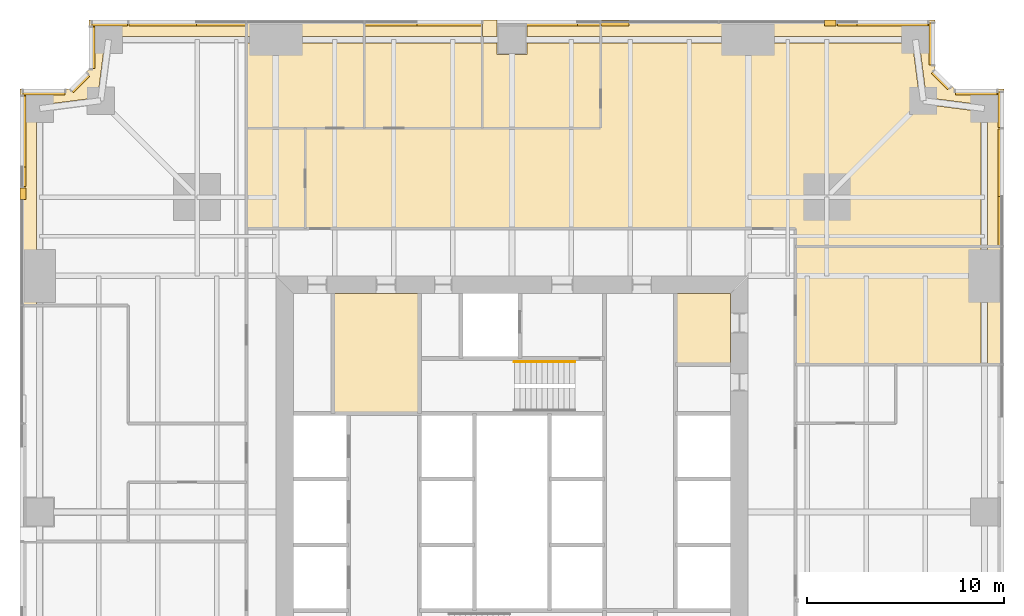
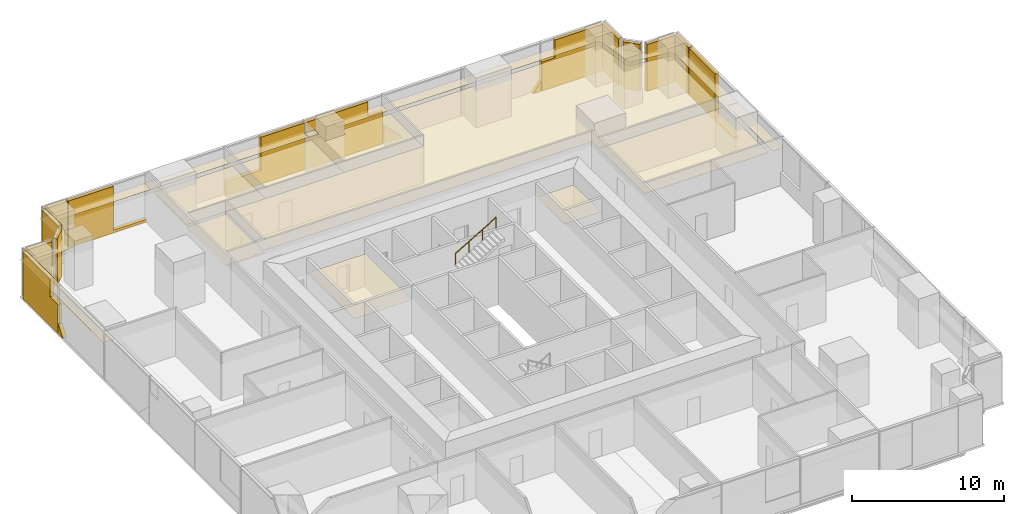
# One storey, part 13 of 13: 32 coverings, 1 railing.
"""IFC4 building model written with IfcOpenShell, lengths in metres."""

from ifc_helpers import new_model, si_unit, direction, frame, origin, origin_2d, place, context, subcontext, project, spatial, polyline, circle, outline, extrude, material, layer, layer_set, type_object, element, save


model = new_model("IFC4")

# Units and contexts
model_context = context("Model", 3, precision=1e-05, world=origin(), true_north=direction((0.0, 1.0)))
body_context = subcontext(model_context, "Body", "Model", "MODEL_VIEW")
ifc_project = project(units=[si_unit("LENGTHUNIT", "METRE"), si_unit("AREAUNIT", "SQUARE_METRE"), si_unit("VOLUMEUNIT", "CUBIC_METRE"), si_unit("PLANEANGLEUNIT", "RADIAN"), si_unit("MASSUNIT", "GRAM", prefix="KILO")], contexts=[model_context])

# Site, building, storey
site_placement = place(None, origin())
site = spatial("IfcSite", under=ifc_project, at=site_placement, CompositionType="ELEMENT")
building_placement = place(site_placement, origin())
building = spatial("IfcBuilding", under=site, at=building_placement, Name="Fenwick Lantern Interchange", CompositionType="ELEMENT")
storey_placement = place(building_placement, frame((0.0, 0.0, 63.0)))
storey = spatial("IfcBuildingStorey", under=building, at=storey_placement, Name="L14", CompositionType="ELEMENT", Elevation=63.0)

# Coverings
ifc_material_1 = material(Name="Mineral fibre acoustic tile on suspended grid")
ifc_layer_1 = layer(ifc_material_1, 0.02001953125)
ifc_layer_set_1 = layer_set([ifc_layer_1], Name="ACOUSTIC TILE CEILING 20")
covering_type_1 = type_object("IfcCoveringType", Name="ACOUSTIC TILE CEILING 20", PredefinedType="CEILING", material=ifc_layer_set_1)
covering_1_placement = place(storey_placement, frame((0.0, 0.0, 2.89990234375)))
element("IfcCovering", 1, at=covering_1_placement, inside=storey, type_object=covering_type_1, Name="Office suite ceiling", PredefinedType="CEILING", context=body_context, shape_type="SweptSolid", body=[
    extrude(outline(polyline([(39.39990234375, 32.5), (48.82763671875, 32.5), (48.82763671875, 37.0), (48.82763671875, 38.5), (39.39990234375, 38.5), (39.39990234375, 32.5)])), origin(), (0.0, 0.0, 1.0), 0.02001953125),
])
covering_2_placement = place(storey_placement, frame((0.0, 0.0, 2.89990234375)))
element("IfcCovering", 2, at=covering_2_placement, inside=storey, type_object=covering_type_1, Name="Office suite ceiling", PredefinedType="CEILING", context=body_context, shape_type="SweptSolid", body=[
    extrude(outline(polyline([(50.0, 32.5), (50.0, 38.5), (49.17236328125, 38.5), (49.17236328125, 37.0), (49.17236328125, 32.5), (50.0, 32.5)])), origin(), (0.0, 0.0, 1.0), 0.02001953125),
])
covering_3_placement = place(storey_placement, frame((0.0, 0.0, 2.89990234375)))
element("IfcCovering", 3, at=covering_3_placement, inside=storey, type_object=covering_type_1, Name="Office suite ceiling", PredefinedType="CEILING", context=body_context, shape_type="SweptSolid", body=[
    extrude(outline(polyline([(39.39990234375, 38.5), (48.82763671875, 38.5), (48.82763671875, 45.348388671875), (45.8779296875, 45.72900390625), (45.89990234375, 45.89990234375), (45.72900390625, 45.8779296875), (45.348388671875, 48.82763671875), (37.0, 48.82763671875), (29.5, 48.82763671875), (29.5, 44.5), (14.5, 44.5), (14.5, 39.39990234375), (39.39990234375, 39.39990234375), (39.39990234375, 38.5)])), origin(), (0.0, 0.0, 1.0), 0.02001953125),
])
covering_4_placement = place(storey_placement, frame((0.0, 0.0, 2.89990234375)))
element("IfcCovering", 4, at=covering_4_placement, inside=storey, type_object=covering_type_1, Name="Office suite ceiling", PredefinedType="CEILING", context=body_context, shape_type="SweptSolid", body=[
    extrude(outline(polyline([(46.5, 50.0), (29.5, 50.0), (29.5, 49.17236328125), (37.0, 49.17236328125), (45.5, 49.17236328125), (45.5, 49.0), (45.6708984375, 49.02197265625), (46.053955078125, 46.053955078125), (49.02197265625, 45.6708984375), (49.0, 45.5), (49.17236328125, 45.5), (49.17236328125, 38.5), (50.0, 38.5), (50.0, 46.5), (47.5, 46.5), (46.5, 47.5), (46.5, 50.0)])), origin(), (0.0, 0.0, 1.0), 0.02001953125),
])
covering_5_placement = place(storey_placement, frame((0.0, 0.0, 2.89990234375)))
element("IfcCovering", 5, at=covering_5_placement, inside=storey, type_object=covering_type_1, Name="Office ceiling", PredefinedType="CEILING", context=body_context, shape_type="SweptSolid", body=[
    extrude(outline(polyline([(29.5, 44.5), (29.5, 48.82763671875), (25.75, 48.82763671875), (25.75, 48.25), (24.25, 48.25), (24.25, 48.82763671875), (23.5, 48.82763671875), (23.5, 44.5), (29.5, 44.5)])), origin(), (0.0, 0.0, 1.0), 0.02001953125),
])
covering_6_placement = place(storey_placement, frame((0.0, 0.0, 2.89990234375)))
element("IfcCovering", 6, at=covering_6_placement, inside=storey, type_object=covering_type_1, Name="Office ceiling", PredefinedType="CEILING", context=body_context, shape_type="SweptSolid", body=[
    extrude(outline(polyline([(29.5, 49.17236328125), (29.5, 50.0), (25.75, 50.0), (25.75, 49.17236328125), (29.5, 49.17236328125)])), origin(), (0.0, 0.0, 1.0), 0.02001953125),
])
covering_7_placement = place(storey_placement, frame((0.0, 0.0, 2.89990234375)))
element("IfcCovering", 7, at=covering_7_placement, inside=storey, type_object=covering_type_1, Name="Office ceiling", PredefinedType="CEILING", context=body_context, shape_type="SweptSolid", body=[
    extrude(outline(polyline([(23.5, 50.0), (23.5, 49.17236328125), (24.25, 49.17236328125), (24.25, 50.0), (23.5, 50.0)])), origin(), (0.0, 0.0, 1.0), 0.02001953125),
])
covering_8_placement = place(storey_placement, frame((0.0, 0.0, 2.89990234375)))
element("IfcCovering", 8, at=covering_8_placement, inside=storey, type_object=covering_type_1, Name="Meeting room ceiling", PredefinedType="CEILING", context=body_context, shape_type="SweptSolid", body=[
    extrude(outline(polyline([(23.5, 44.5), (23.5, 48.82763671875), (17.5, 48.82763671875), (17.5, 44.5), (23.5, 44.5)])), origin(), (0.0, 0.0, 1.0), 0.02001953125),
])
covering_9_placement = place(storey_placement, frame((0.0, 0.0, 2.89990234375)))
element("IfcCovering", 9, at=covering_9_placement, inside=storey, type_object=covering_type_1, Name="Meeting room ceiling", PredefinedType="CEILING", context=body_context, shape_type="SweptSolid", body=[
    extrude(outline(polyline([(17.5, 50.0), (17.5, 49.17236328125), (23.5, 49.17236328125), (23.5, 50.0), (17.5, 50.0)])), origin(), (0.0, 0.0, 1.0), 0.02001953125),
])
covering_10_placement = place(storey_placement, frame((0.0, 0.0, 2.89990234375)))
element("IfcCovering", 10, at=covering_10_placement, inside=storey, type_object=covering_type_1, Name="Office ceiling", PredefinedType="CEILING", context=body_context, shape_type="SweptSolid", body=[
    extrude(outline(polyline([(17.5, 44.5), (17.5, 48.82763671875), (13.0, 48.82763671875), (11.5, 48.82763671875), (11.5, 44.5), (17.5, 44.5)])), origin(), (0.0, 0.0, 1.0), 0.02001953125),
])
covering_11_placement = place(storey_placement, frame((0.0, 0.0, 2.89990234375)))
element("IfcCovering", 11, at=covering_11_placement, inside=storey, type_object=covering_type_1, Name="Office ceiling", PredefinedType="CEILING", context=body_context, shape_type="SweptSolid", body=[
    extrude(outline(polyline([(11.5, 50.0), (11.5, 49.17236328125), (13.0, 49.17236328125), (17.5, 49.17236328125), (17.5, 50.0), (11.5, 50.0)])), origin(), (0.0, 0.0, 1.0), 0.02001953125),
])
covering_12_placement = place(storey_placement, frame((0.0, 0.0, 2.89990234375)))
element("IfcCovering", 12, at=covering_12_placement, inside=storey, type_object=covering_type_1, Name="Office suite ceiling", PredefinedType="CEILING", context=body_context, shape_type="SweptSolid", body=[
    extrude(outline(polyline([(3.5, 47.5), (2.5, 46.5), (0.0, 46.5), (0.0, 35.5), (0.82763671875, 35.5), (0.82763671875, 37.0), (0.82763671875, 45.5), (1.0, 45.5), (0.97802734375, 45.6708984375), (3.946044921875, 46.053955078125), (4.3291015625, 49.02197265625), (4.5, 49.0), (4.5, 49.17236328125), (11.5, 49.17236328125), (11.5, 50.0), (3.5, 50.0), (3.5, 47.5)])), origin(), (0.0, 0.0, 1.0), 0.02001953125),
])
ifc_material_2 = material(Name="Granite cladding, warm grey flamed finish, on aluminium carrier frame", Category="masonry")
ifc_layer_2 = layer(ifc_material_2, 0.300048828125)
ifc_layer_set_2 = layer_set([ifc_layer_2], Name="BRACE CASING PANEL 300")
covering_type_2 = type_object("IfcCoveringType", Name="BRACE CASING PANEL 300", PredefinedType="CLADDING", material=ifc_layer_set_2)
covering_13_placement = place(storey_placement, frame((49.89990234375, 3.60009765625, 0.0), z_axis=(0.0, 0.0, 1.0), x_axis=(0.0, 1.0, 0.0)))
element("IfcCovering", 13, at=covering_13_placement, inside=storey, type_object=covering_type_2, Name="Brace casing 05 bay 06a", PredefinedType="CLADDING", context=body_context, shape_type="SweptSolid", body=[
    extrude(outline(polyline([(34.9326171875, 0.0), (40.867431640625, 0.0), (40.867431640625, 3.75), (37.4375, 3.75), (37.4375, 0.2080078125), (34.9326171875, 0.2080078125), (34.9326171875, 0.0)])), frame((0.0, 0.2001953125, 0.0), z_axis=(0.0, -1.0, 0.0), x_axis=(1.0, 0.0, 0.0)), (0.0, 0.0, 1.0), 0.300048828125),
])
covering_14_placement = place(storey_placement, frame((49.89990234375, 3.60009765625, 0.0), z_axis=(0.0, 0.0, 1.0), x_axis=(0.0, 1.0, 0.0)))
element("IfcCovering", 14, at=covering_14_placement, inside=storey, type_object=covering_type_2, Name="Brace casing 05 bay 07a", PredefinedType="CLADDING", context=body_context, shape_type="SweptSolid", body=[
    extrude(outline(polyline([(40.9326171875, 0.0), (42.735107421875, 0.0), (42.735107421875, 3.75), (40.9326171875, 3.75), (40.9326171875, 0.0)])), frame((0.0, 0.2001953125, 0.0), z_axis=(0.0, -1.0, 0.0), x_axis=(1.0, 0.0, 0.0)), (0.0, 0.0, 1.0), 0.300048828125),
])
covering_15_placement = place(storey_placement, frame((49.89990234375, 46.39990234375, 0.0), z_axis=(0.0, 0.0, 1.0), x_axis=(-1.0, 0.0, 0.0)))
element("IfcCovering", 15, at=covering_15_placement, inside=storey, type_object=covering_type_2, Name="Brace casing 06 bay 00a", PredefinedType="CLADDING", context=body_context, shape_type="SweptSolid", body=[
    extrude(outline(polyline([(0.264892578125, 0.0), (2.37646484375, 0.0), (2.37646484375, 3.75), (0.264892578125, 3.75), (0.264892578125, 0.0)])), frame((0.0, 0.2001953125, 0.0), z_axis=(0.0, -1.0, 0.0), x_axis=(1.0, 0.0, 0.0)), (0.0, 0.0, 1.0), 0.300048828125),
])
covering_16_placement = place(storey_placement, frame((47.45849609375, 46.39990234375, 0.0), z_axis=(0.0, 0.0, 1.0), x_axis=(-0.707106781187, 0.707106781187, 0.0)))
element("IfcCovering", 16, at=covering_16_placement, inside=storey, type_object=covering_type_2, Name="Brace casing 07 bay 00a", PredefinedType="CLADDING", context=body_context, shape_type="SweptSolid", body=[
    extrude(outline(polyline([(0.264892578125, 0.0), (1.43212890625, 0.0), (1.43212890625, 3.75), (0.264892578125, 3.75), (0.264892578125, 0.0)])), frame((0.0, 0.2001953125, 0.0), z_axis=(0.0, -1.0, 0.0), x_axis=(1.0, 0.0, 0.0)), (0.0, 0.0, 1.0), 0.300048828125),
])
covering_17_placement = place(storey_placement, frame((46.39990234375, 47.45849609375, 0.0), z_axis=(0.0, 0.0, 1.0), x_axis=(0.0, 1.0, 0.0)))
element("IfcCovering", 17, at=covering_17_placement, inside=storey, type_object=covering_type_2, Name="Brace casing 08 bay 00a", PredefinedType="CLADDING", context=body_context, shape_type="SweptSolid", body=[
    extrude(outline(polyline([(0.264892578125, 0.0), (2.37646484375, 0.0), (2.37646484375, 3.75), (0.264892578125, 3.75), (0.264892578125, 0.0)])), frame((0.0, 0.2001953125, 0.0), z_axis=(0.0, -1.0, 0.0), x_axis=(1.0, 0.0, 0.0)), (0.0, 0.0, 1.0), 0.300048828125),
])
covering_18_placement = place(storey_placement, frame((46.39990234375, 49.89990234375, 0.0), z_axis=(0.0, 0.0, 1.0), x_axis=(-1.0, 0.0, 0.0)))
element("IfcCovering", 18, at=covering_18_placement, inside=storey, type_object=covering_type_2, Name="Brace casing 09 bay 00a", PredefinedType="CLADDING", context=body_context, shape_type="SweptSolid", body=[
    extrude(outline(polyline([(0.264892578125, 0.0), (4.867431640625, 0.0), (4.867431640625, 2.328125), (3.86083984375, 2.328125), (3.86083984375, 3.75), (0.264892578125, 3.75), (0.264892578125, 0.0)])), frame((0.0, 0.2001953125, 0.0), z_axis=(0.0, -1.0, 0.0), x_axis=(1.0, 0.0, 0.0)), (0.0, 0.0, 1.0), 0.300048828125),
])
covering_19_placement = place(storey_placement, frame((46.39990234375, 49.89990234375, 0.0), z_axis=(0.0, 0.0, 1.0), x_axis=(-1.0, 0.0, 0.0)))
element("IfcCovering", 19, at=covering_19_placement, inside=storey, type_object=covering_type_2, Name="Brace casing 09 bay 01a", PredefinedType="CLADDING", context=body_context, shape_type="SweptSolid", body=[
    extrude(outline(polyline([(4.9326171875, 0.0), (5.510009765625, 0.0), (4.9326171875, 0.815185546875), (4.9326171875, 0.0)])), frame((0.0, 0.2001953125, 0.0), z_axis=(0.0, -1.0, 0.0), x_axis=(1.0, 0.0, 0.0)), (0.0, 0.0, 1.0), 0.300048828125),
])
covering_20_placement = place(storey_placement, frame((46.39990234375, 49.89990234375, 0.0), z_axis=(0.0, 0.0, 1.0), x_axis=(-1.0, 0.0, 0.0)))
element("IfcCovering", 20, at=covering_20_placement, inside=storey, type_object=covering_type_2, Name="Brace casing 09 bay 02a", PredefinedType="CLADDING", context=body_context, shape_type="SweptSolid", body=[
    extrude(outline(polyline([(15.46044921875, 0.0), (16.867431640625, 0.0), (16.867431640625, 1.406982421875), (15.46044921875, 0.0)])), frame((0.0, 0.2001953125, 0.0), z_axis=(0.0, -1.0, 0.0), x_axis=(1.0, 0.0, 0.0)), (0.0, 0.0, 1.0), 0.300048828125),
])
covering_21_placement = place(storey_placement, frame((46.39990234375, 49.89990234375, 0.0), z_axis=(0.0, 0.0, 1.0), x_axis=(-1.0, 0.0, 0.0)))
element("IfcCovering", 21, at=covering_21_placement, inside=storey, type_object=covering_type_2, Name="Brace casing 09 bay 03a", PredefinedType="CLADDING", context=body_context, shape_type="SweptSolid", body=[
    extrude(outline(polyline([(16.9326171875, 0.0), (22.867431640625, 0.0), (22.867431640625, 3.75), (18.072509765625, 3.75), (18.072509765625, 2.612060546875), (16.9326171875, 2.612060546875), (16.9326171875, 0.0)])), frame((0.0, 0.2001953125, 0.0), z_axis=(0.0, -1.0, 0.0), x_axis=(1.0, 0.0, 0.0)), (0.0, 0.0, 1.0), 0.300048828125),
])
covering_22_placement = place(storey_placement, frame((46.39990234375, 49.89990234375, 0.0), z_axis=(0.0, 0.0, 1.0), x_axis=(-1.0, 0.0, 0.0)))
element("IfcCovering", 22, at=covering_22_placement, inside=storey, type_object=covering_type_2, Name="Brace casing 09 bay 04a", PredefinedType="CLADDING", context=body_context, shape_type="SweptSolid", body=[
    extrude(outline(polyline([(22.9326171875, 0.0), (28.867431640625, 0.0), (28.867431640625, 1.10888671875), (26.23046875, 1.10888671875), (26.23046875, 3.75), (22.9326171875, 3.75), (22.9326171875, 0.0)])), frame((0.0, 0.2001953125, 0.0), z_axis=(0.0, -1.0, 0.0), x_axis=(1.0, 0.0, 0.0)), (0.0, 0.0, 1.0), 0.300048828125),
])
covering_23_placement = place(storey_placement, frame((46.39990234375, 49.89990234375, 0.0), z_axis=(0.0, 0.0, 1.0), x_axis=(-1.0, 0.0, 0.0)))
element("IfcCovering", 23, at=covering_23_placement, inside=storey, type_object=covering_type_2, Name="Brace casing 09 bay 06a", PredefinedType="CLADDING", context=body_context, shape_type="SweptSolid", body=[
    extrude(outline(polyline([(34.9326171875, 0.0), (40.867431640625, 0.0), (40.867431640625, 3.75), (37.4375, 3.75), (37.4375, 0.2080078125), (34.9326171875, 0.2080078125), (34.9326171875, 0.0)])), frame((0.0, 0.2001953125, 0.0), z_axis=(0.0, -1.0, 0.0), x_axis=(1.0, 0.0, 0.0)), (0.0, 0.0, 1.0), 0.300048828125),
])
covering_24_placement = place(storey_placement, frame((46.39990234375, 49.89990234375, 0.0), z_axis=(0.0, 0.0, 1.0), x_axis=(-1.0, 0.0, 0.0)))
element("IfcCovering", 24, at=covering_24_placement, inside=storey, type_object=covering_type_2, Name="Brace casing 09 bay 07a", PredefinedType="CLADDING", context=body_context, shape_type="SweptSolid", body=[
    extrude(outline(polyline([(40.9326171875, 0.0), (42.735107421875, 0.0), (42.735107421875, 3.75), (40.9326171875, 3.75), (40.9326171875, 0.0)])), frame((0.0, 0.2001953125, 0.0), z_axis=(0.0, -1.0, 0.0), x_axis=(1.0, 0.0, 0.0)), (0.0, 0.0, 1.0), 0.300048828125),
])
covering_25_placement = place(storey_placement, frame((3.60009765625, 49.89990234375, 0.0), z_axis=(0.0, 0.0, 1.0), x_axis=(0.0, -1.0, 0.0)))
element("IfcCovering", 25, at=covering_25_placement, inside=storey, type_object=covering_type_2, Name="Brace casing 10 bay 00a", PredefinedType="CLADDING", context=body_context, shape_type="SweptSolid", body=[
    extrude(outline(polyline([(0.264892578125, 0.0), (2.37646484375, 0.0), (2.37646484375, 3.75), (0.264892578125, 3.75), (0.264892578125, 0.0)])), frame((0.0, 0.2001953125, 0.0), z_axis=(0.0, -1.0, 0.0), x_axis=(1.0, 0.0, 0.0)), (0.0, 0.0, 1.0), 0.300048828125),
])
covering_26_placement = place(storey_placement, frame((3.60009765625, 47.45849609375, 0.0), z_axis=(0.0, 0.0, 1.0), x_axis=(-0.707106781187, -0.707106781187, 0.0)))
element("IfcCovering", 26, at=covering_26_placement, inside=storey, type_object=covering_type_2, Name="Brace casing 11 bay 00a", PredefinedType="CLADDING", context=body_context, shape_type="SweptSolid", body=[
    extrude(outline(polyline([(0.264892578125, 0.0), (1.43212890625, 0.0), (1.43212890625, 3.75), (0.264892578125, 3.75), (0.264892578125, 0.0)])), frame((0.0, 0.2001953125, 0.0), z_axis=(0.0, -1.0, 0.0), x_axis=(1.0, 0.0, 0.0)), (0.0, 0.0, 1.0), 0.300048828125),
])
covering_27_placement = place(storey_placement, frame((2.54150390625, 46.39990234375, 0.0), z_axis=(0.0, 0.0, 1.0), x_axis=(-1.0, 0.0, 0.0)))
element("IfcCovering", 27, at=covering_27_placement, inside=storey, type_object=covering_type_2, Name="Brace casing 12 bay 00a", PredefinedType="CLADDING", context=body_context, shape_type="SweptSolid", body=[
    extrude(outline(polyline([(0.264892578125, 0.0), (2.37646484375, 0.0), (2.37646484375, 3.75), (0.264892578125, 3.75), (0.264892578125, 0.0)])), frame((0.0, 0.2001953125, 0.0), z_axis=(0.0, -1.0, 0.0), x_axis=(1.0, 0.0, 0.0)), (0.0, 0.0, 1.0), 0.300048828125),
])
covering_28_placement = place(storey_placement, frame((0.10009765625, 46.39990234375, 0.0), z_axis=(0.0, 0.0, 1.0), x_axis=(0.0, -1.0, 0.0)))
element("IfcCovering", 28, at=covering_28_placement, inside=storey, type_object=covering_type_2, Name="Brace casing 13 bay 00a", PredefinedType="CLADDING", context=body_context, shape_type="SweptSolid", body=[
    extrude(outline(polyline([(0.264892578125, 0.0), (4.867431640625, 0.0), (4.867431640625, 2.328125), (3.86083984375, 2.328125), (3.86083984375, 3.75), (0.264892578125, 3.75), (0.264892578125, 0.0)])), frame((0.0, 0.2001953125, 0.0), z_axis=(0.0, -1.0, 0.0), x_axis=(1.0, 0.0, 0.0)), (0.0, 0.0, 1.0), 0.300048828125),
])
covering_29_placement = place(storey_placement, frame((0.10009765625, 46.39990234375, 0.0), z_axis=(0.0, 0.0, 1.0), x_axis=(0.0, -1.0, 0.0)))
element("IfcCovering", 29, at=covering_29_placement, inside=storey, type_object=covering_type_2, Name="Brace casing 13 bay 01a", PredefinedType="CLADDING", context=body_context, shape_type="SweptSolid", body=[
    extrude(outline(polyline([(4.9326171875, 0.0), (5.510009765625, 0.0), (4.9326171875, 0.815185546875), (4.9326171875, 0.0)])), frame((0.0, 0.2001953125, 0.0), z_axis=(0.0, -1.0, 0.0), x_axis=(1.0, 0.0, 0.0)), (0.0, 0.0, 1.0), 0.300048828125),
])

# Railing
ifc_material_3 = material(Name="Stainless steel handrail", Category="steel")
railing_type = type_object("IfcRailingType", Name="HANDRAIL 900", PredefinedType="HANDRAIL", material=ifc_material_3)
railing_placement = place(storey_placement, frame((25.1201171875, 32.6259765625, 2.166748046875)))
element("IfcRailing", 30, at=railing_placement, inside=storey, type_object=railing_type, Name="L14/STAIR/ST2/HR2", PredefinedType="HANDRAIL", context=body_context, shape_type="SweptSolid", body=[
    extrude(circle(Radius=0.02392578125, at=origin_2d()), frame((0.0, 0.0, 0.8759765625), z_axis=(0.859290745958, 0.0, 0.51148745235), x_axis=(0.0, 1.0, 0.0)), (0.0, 0.0, 1.0), 3.584228515625),
    extrude(circle(Radius=0.02099609375, at=origin_2d()), origin(), (0.0, 0.0, 1.0), 0.851806640625),
    extrude(circle(Radius=0.02099609375, at=origin_2d()), frame((1.026611328125, 0.0, 0.611083984375)), (0.0, 0.0, 1.0), 0.851806640625),
    extrude(circle(Radius=0.02099609375, at=origin_2d()), frame((2.05322265625, 0.0, 1.22216796875)), (0.0, 0.0, 1.0), 0.851806640625),
    extrude(circle(Radius=0.02099609375, at=origin_2d()), frame((3.079833984375, 0.0, 1.833251953125)), (0.0, 0.0, 1.0), 0.851806640625),
])

# Coverings
ifc_material_4 = material(Name="Moisture resistant gypsum board on suspended frame, painted")
ifc_layer_3 = layer(ifc_material_4, 0.014892578125)
ifc_layer_set_3 = layer_set([ifc_layer_3], Name="MOISTURE RESISTANT CEILING 15")
covering_type_3 = type_object("IfcCoveringType", Name="MOISTURE RESISTANT CEILING 15", PredefinedType="CEILING", material=ifc_layer_set_3)
covering_30_placement = place(storey_placement, frame((0.0, 0.0, 2.60009765625)))
element("IfcCovering", 31, at=covering_30_placement, inside=storey, type_object=covering_type_3, Name="Women's WC ceiling", PredefinedType="CEILING", context=body_context, shape_type="SweptSolid", body=[
    extrude(outline(polyline([(20.300048828125, 36.10009765625), (15.89990234375, 36.10009765625), (15.89990234375, 30.0), (20.300048828125, 30.0), (20.300048828125, 36.10009765625)])), origin(), (0.0, 0.0, 1.0), 0.014892578125),
])
covering_31_placement = place(storey_placement, frame((0.0, 0.0, 2.60009765625)))
element("IfcCovering", 32, at=covering_31_placement, inside=storey, type_object=covering_type_3, Name="Accessible WC and shower ceiling", PredefinedType="CEILING", context=body_context, shape_type="SweptSolid", body=[
    extrude(outline(polyline([(36.10009765625, 36.10009765625), (33.300048828125, 36.10009765625), (33.300048828125, 32.5), (36.10009765625, 32.5), (36.10009765625, 36.10009765625)])), origin(), (0.0, 0.0, 1.0), 0.014892578125),
])
covering_32_placement = place(storey_placement, frame((0.0, 0.0, 2.699951171875)))
element("IfcCovering", 33, at=covering_32_placement, inside=storey, type_object=covering_type_3, Name="Pantry ceiling", PredefinedType="CEILING", context=body_context, shape_type="SweptSolid", body=[
    extrude(outline(polyline([(14.5, 44.5), (11.5, 44.5), (11.5, 39.39990234375), (14.5, 39.39990234375), (14.5, 44.5)])), origin(), (0.0, 0.0, 1.0), 0.01513671875),
])

save(model, "model.ifc")
